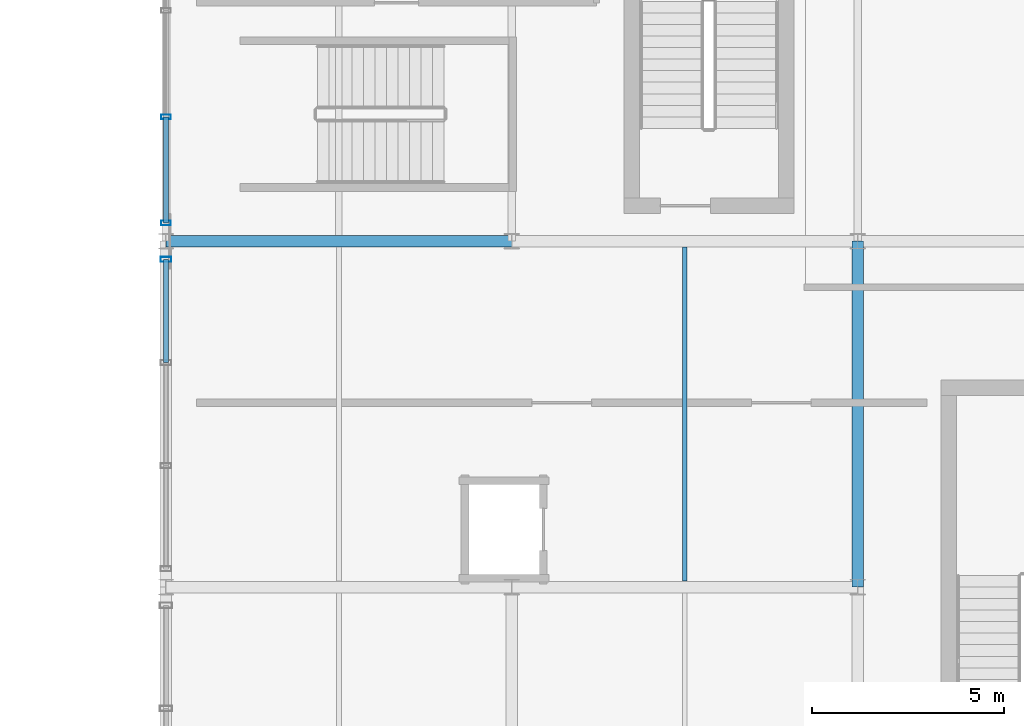
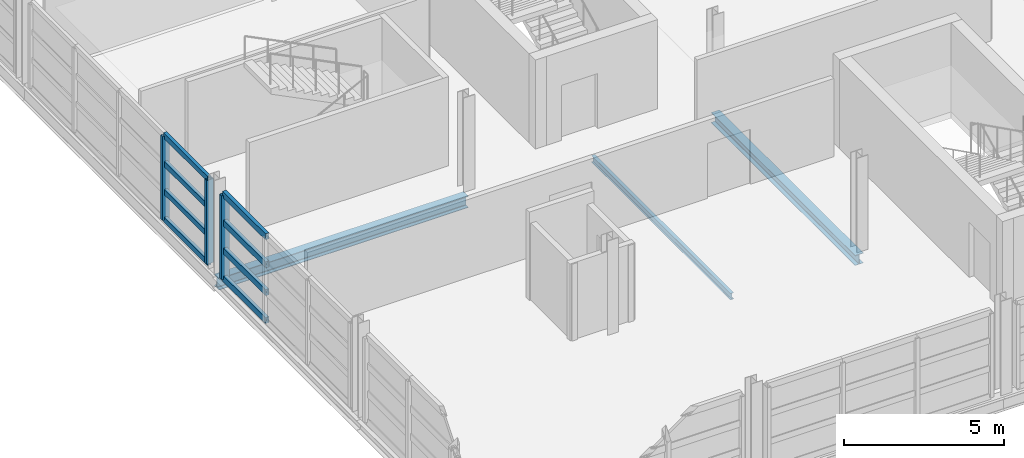
# One storey, part 59 of 116: 11 members, 3 beams, 2 elements without a shape of their own.
"""IFC4 building model written with IfcOpenShell, lengths in metres."""

from ifc_helpers import new_model, si_unit, direction, frame, origin, origin_2d, place, context, subcontext, project, spatial, hollow_rectangle, i_section, extrude, material, material_profile, profile_set, type_object, element, aggregate, save


model = new_model("IFC4")

# Units and contexts
model_context = context("Model", 3, precision=1e-05, world=origin(), true_north=direction((0.0, 1.0)))
body_context = subcontext(model_context, "Body", "Model", "MODEL_VIEW")
ifc_project = project(units=[si_unit("LENGTHUNIT", "METRE"), si_unit("AREAUNIT", "SQUARE_METRE"), si_unit("VOLUMEUNIT", "CUBIC_METRE"), si_unit("PLANEANGLEUNIT", "RADIAN"), si_unit("MASSUNIT", "GRAM", prefix="KILO")], contexts=[model_context])

# Site, building, storey
site_placement = place(None, origin())
site = spatial("IfcSite", under=ifc_project, at=site_placement, CompositionType="ELEMENT")
building_placement = place(site_placement, origin())
building = spatial("IfcBuilding", under=site, at=building_placement, Name="Chuanluo Vaults Station", CompositionType="ELEMENT")
storey_placement = place(building_placement, frame((0.0, 0.0, 10.800048828125)))
storey = spatial("IfcBuildingStorey", under=building, at=storey_placement, Name="L02", CompositionType="ELEMENT", Elevation=10.800048828125)

# Beams
ifc_material_1 = material(Name="Steel Q355C", Category="steel")
ifc_material_profile_1 = material_profile(ifc_material_1, i_section(OverallWidth=0.300048828125, OverallDepth=0.389892578125, WebThickness=0.010009765625, FlangeThickness=0.01611328125, FilletRadius=0.02001953125, at=origin_2d()))
ifc_profile_set_1 = profile_set([ifc_material_profile_1], Name="Steel Q355C")
beam_type_1 = type_object("IfcBeamType", Name="BM-GRD-400", PredefinedType="BEAM", material=ifc_profile_set_1)
beam_1_placement = place(storey_placement, frame((154.0, 9.0, -0.43505859375), z_axis=(0.0, 1.0, 0.0), x_axis=(-1.0, 0.0, 0.0)))
element("IfcBeam", 1, at=beam_1_placement, inside=storey, type_object=beam_type_1, Name="Floor girder BM:GY:L02:0653", PredefinedType="BEAM", context=body_context, shape_type="SweptSolid", body=[
    extrude(i_section(OverallWidth=0.300048828125, OverallDepth=0.389892578125, WebThickness=0.010009765625, FlangeThickness=0.01611328125, FilletRadius=0.02001953125, at=origin_2d()), origin(), (0.0, 0.0, 1.0), 9.0),
])
ifc_material_2 = material(Name="Steel Q355C", Category="steel")
ifc_material_profile_2 = material_profile(ifc_material_2, i_section(OverallWidth=0.300048828125, OverallDepth=0.43994140625, WebThickness=0.010986328125, FlangeThickness=0.01806640625, FilletRadius=0.02001953125, at=origin_2d()))
ifc_profile_set_2 = profile_set([ifc_material_profile_2], Name="Steel Q355C")
beam_type_2 = type_object("IfcBeamType", Name="BM-GRD-450", PredefinedType="USERDEFINED", material=ifc_profile_set_2)
beam_2_placement = place(storey_placement, frame((136.0, 18.0, -0.4599609375), z_axis=(1.0, 0.0, 0.0), x_axis=(0.0, 1.0, 0.0)))
element("IfcBeam", 2, at=beam_2_placement, inside=storey, type_object=beam_type_2, Name="Floor girder BM:GX:L02:0549", ObjectType="GIRDER", PredefinedType="USERDEFINED", context=body_context, shape_type="SweptSolid", body=[
    extrude(i_section(OverallWidth=0.300048828125, OverallDepth=0.43994140625, WebThickness=0.010986328125, FlangeThickness=0.01806640625, FilletRadius=0.02001953125, at=origin_2d()), origin(), (0.0, 0.0, 1.0), 9.0),
])
ifc_material_3 = material(Name="Steel Q355C", Category="steel")
ifc_material_profile_3 = material_profile(ifc_material_3, i_section(OverallWidth=0.125, OverallDepth=0.25, WebThickness=0.006103515625, FlangeThickness=0.009033203125, FilletRadius=0.011962890625, at=origin_2d()))
ifc_profile_set_3 = profile_set([ifc_material_profile_3], Name="Steel Q355C")
beam_type_3 = type_object("IfcBeamType", Name="BM-SEC-250", PredefinedType="JOIST", material=ifc_profile_set_3)
beam_3_placement = place(storey_placement, frame((149.5, 9.155029296875, -0.364990234375), z_axis=(0.0, 1.0, 0.0), x_axis=(-1.0, 0.0, 0.0)))
element("IfcBeam", 3, at=beam_3_placement, inside=storey, type_object=beam_type_3, Name="Composite secondary joist 0200", PredefinedType="JOIST", context=body_context, shape_type="SweptSolid", body=[
    extrude(i_section(OverallWidth=0.125, OverallDepth=0.25, WebThickness=0.006103515625, FlangeThickness=0.009033203125, FilletRadius=0.011962890625, at=origin_2d()), origin(), (0.0, 0.0, 1.0), 8.68994140625),
])

# Curtain wall, members
ifc_material_4 = material(Name="Anodised aluminium 6063-T6", Category="aluminium")
curtain_wall_type_1 = type_object("IfcCurtainWallType", Name="CW-SYS-23", PredefinedType="NOTDEFINED", material=ifc_material_4)
curtain_wall_1_placement = place(storey_placement, origin())
curtain_wall_1 = element("IfcCurtainWall", 4, at=curtain_wall_1_placement, inside=storey, type_object=curtain_wall_type_1, Name="Retail pavilion L02 facade CW", PredefinedType="NOTDEFINED")
ifc_material_5 = material(Name="Anodised aluminium 6063-T6", Category="aluminium")
ifc_material_profile_4 = material_profile(ifc_material_5, hollow_rectangle(XDim=0.1201171875, YDim=0.25, WallThickness=0.006103515625, at=origin_2d()))
ifc_profile_set_4 = profile_set([ifc_material_profile_4], Name="Anodised aluminium 6063-T6")
member_type_1 = type_object("IfcMemberType", Name="CWM-160", PredefinedType="MULLION", material=ifc_profile_set_4)
member_1_placement = place(storey_placement, frame((136.0, 18.47509765625, 0.0), z_axis=(0.0, 0.0, 1.0), x_axis=(0.0, 1.0, 0.0)))
member_1 = element("IfcMember", 5, at=member_1_placement, type_object=member_type_1, Name="Retail pavilion L02 facade CW mullion 1", PredefinedType="MULLION", context=body_context, shape_type="SweptSolid", body=[
    extrude(hollow_rectangle(XDim=0.1201171875, YDim=0.25, WallThickness=0.006103515625, at=origin_2d()), origin(), (0.0, 0.0, 1.0), 3.199951171875),
])
member_2_placement = place(storey_placement, frame((136.0, 21.237548828125, 0.0), z_axis=(0.0, 0.0, 1.0), x_axis=(0.0, 1.0, 0.0)))
member_2 = element("IfcMember", 6, at=member_2_placement, type_object=member_type_1, Name="Retail pavilion L02 facade CW mullion 2", PredefinedType="MULLION", context=body_context, shape_type="SweptSolid", body=[
    extrude(hollow_rectangle(XDim=0.1201171875, YDim=0.25, WallThickness=0.006103515625, at=origin_2d()), origin(), (0.0, 0.0, 1.0), 3.199951171875),
])

# Curtain wall, member
ifc_material_6 = material(Name="Anodised aluminium 6063-T6", Category="aluminium")
curtain_wall_type_2 = type_object("IfcCurtainWallType", Name="CW-SYS-22", PredefinedType="NOTDEFINED", material=ifc_material_6)
curtain_wall_2_placement = place(storey_placement, origin())
curtain_wall_2 = element("IfcCurtainWall", 7, at=curtain_wall_2_placement, inside=storey, type_object=curtain_wall_type_2, Name="Retail pavilion L02 facade CW", PredefinedType="NOTDEFINED")
ifc_material_7 = material(Name="Anodised aluminium 6063-T6", Category="aluminium")
ifc_material_profile_5 = material_profile(ifc_material_7, hollow_rectangle(XDim=0.1298828125, YDim=0.280029296875, WallThickness=0.007080078125, at=origin_2d()))
ifc_profile_set_5 = profile_set([ifc_material_profile_5], Name="Anodised aluminium 6063-T6")
member_type_2 = type_object("IfcMemberType", Name="CWM-180", PredefinedType="MULLION", material=ifc_profile_set_5)
member_3_placement = place(storey_placement, frame((136.0, 17.52490234375, 0.0), z_axis=(0.0, 0.0, 1.0), x_axis=(0.0, 1.0, 0.0)))
member_3 = element("IfcMember", 8, at=member_3_placement, type_object=member_type_2, Name="Retail pavilion L02 facade CW mullion 4", PredefinedType="MULLION", context=body_context, shape_type="SweptSolid", body=[
    extrude(hollow_rectangle(XDim=0.1298828125, YDim=0.280029296875, WallThickness=0.007080078125, at=origin_2d()), origin(), (0.0, 0.0, 1.0), 3.199951171875),
])

# Member
ifc_material_8 = material(Name="Anodised aluminium 6063-T6", Category="aluminium")
ifc_material_profile_6 = material_profile(ifc_material_8, hollow_rectangle(XDim=0.1201171875, YDim=0.205078125, WallThickness=0.006103515625, at=origin_2d()))
ifc_profile_set_6 = profile_set([ifc_material_profile_6], Name="Anodised aluminium 6063-T6")
member_type_3 = type_object("IfcMemberType", Name="CWT-130", PredefinedType="USERDEFINED", material=ifc_profile_set_6)
member_4_placement = place(storey_placement, frame((136.0, 18.47509765625, 0.0), z_axis=(0.0, 1.0, 0.0), x_axis=(-1.0, 0.0, 0.0)))
member_4 = element("IfcMember", 9, at=member_4_placement, type_object=member_type_3, Name="Retail pavilion L02 facade CW transom 1.1", ObjectType="TRANSOM", PredefinedType="USERDEFINED", context=body_context, shape_type="SweptSolid", body=[
    extrude(hollow_rectangle(XDim=0.1201171875, YDim=0.205078125, WallThickness=0.006103515625, at=origin_2d()), origin(), (0.0, 0.0, 1.0), 2.762451171875),
])

member_5_placement = place(storey_placement, frame((136.0, 18.47509765625, 1.066650390625), z_axis=(0.0, 1.0, 0.0), x_axis=(-1.0, 0.0, 0.0)))
member_5 = element("IfcMember", 10, at=member_5_placement, type_object=member_type_3, Name="Retail pavilion L02 facade CW transom 1.2", ObjectType="TRANSOM", PredefinedType="USERDEFINED", context=body_context, shape_type="SweptSolid", body=[
    extrude(hollow_rectangle(XDim=0.1201171875, YDim=0.205078125, WallThickness=0.006103515625, at=origin_2d()), origin(), (0.0, 0.0, 1.0), 2.762451171875),
])

member_6_placement = place(storey_placement, frame((136.0, 18.47509765625, 2.13330078125), z_axis=(0.0, 1.0, 0.0), x_axis=(-1.0, 0.0, 0.0)))
member_6 = element("IfcMember", 11, at=member_6_placement, type_object=member_type_3, Name="Retail pavilion L02 facade CW transom 1.3", ObjectType="TRANSOM", PredefinedType="USERDEFINED", context=body_context, shape_type="SweptSolid", body=[
    extrude(hollow_rectangle(XDim=0.1201171875, YDim=0.205078125, WallThickness=0.006103515625, at=origin_2d()), origin(), (0.0, 0.0, 1.0), 2.762451171875),
])

member_7_placement = place(storey_placement, frame((136.0, 18.47509765625, 3.199951171875), z_axis=(0.0, 1.0, 0.0), x_axis=(-1.0, 0.0, 0.0)))
member_7 = element("IfcMember", 12, at=member_7_placement, type_object=member_type_3, Name="Retail pavilion L02 facade CW transom 1.4", ObjectType="TRANSOM", PredefinedType="USERDEFINED", context=body_context, shape_type="SweptSolid", body=[
    extrude(hollow_rectangle(XDim=0.1201171875, YDim=0.205078125, WallThickness=0.006103515625, at=origin_2d()), origin(), (0.0, 0.0, 1.0), 2.762451171875),
])

aggregate(curtain_wall_1, [member_1, member_2, member_4, member_5, member_6, member_7])

ifc_material_9 = material(Name="Anodised aluminium 6063-T6", Category="aluminium")
ifc_material_profile_7 = material_profile(ifc_material_9, hollow_rectangle(XDim=0.1298828125, YDim=0.22998046875, WallThickness=0.006103515625, at=origin_2d()))
ifc_profile_set_7 = profile_set([ifc_material_profile_7], Name="Anodised aluminium 6063-T6")
member_type_4 = type_object("IfcMemberType", Name="CWT-150", PredefinedType="USERDEFINED", material=ifc_profile_set_7)
member_8_placement = place(storey_placement, frame((136.0, 14.841796875, 0.0), z_axis=(0.0, 1.0, 0.0), x_axis=(-1.0, 0.0, 0.0)))
member_8 = element("IfcMember", 13, at=member_8_placement, type_object=member_type_4, Name="Retail pavilion L02 facade CW transom 3.1", ObjectType="TRANSOM", PredefinedType="USERDEFINED", context=body_context, shape_type="SweptSolid", body=[
    extrude(hollow_rectangle(XDim=0.1298828125, YDim=0.22998046875, WallThickness=0.006103515625, at=origin_2d()), origin(), (0.0, 0.0, 1.0), 2.68310546875),
])

member_9_placement = place(storey_placement, frame((136.0, 14.841796875, 1.066650390625), z_axis=(0.0, 1.0, 0.0), x_axis=(-1.0, 0.0, 0.0)))
member_9 = element("IfcMember", 14, at=member_9_placement, type_object=member_type_4, Name="Retail pavilion L02 facade CW transom 3.2", ObjectType="TRANSOM", PredefinedType="USERDEFINED", context=body_context, shape_type="SweptSolid", body=[
    extrude(hollow_rectangle(XDim=0.1298828125, YDim=0.22998046875, WallThickness=0.006103515625, at=origin_2d()), origin(), (0.0, 0.0, 1.0), 2.68310546875),
])

member_10_placement = place(storey_placement, frame((136.0, 14.841796875, 2.13330078125), z_axis=(0.0, 1.0, 0.0), x_axis=(-1.0, 0.0, 0.0)))
member_10 = element("IfcMember", 15, at=member_10_placement, type_object=member_type_4, Name="Retail pavilion L02 facade CW transom 3.3", ObjectType="TRANSOM", PredefinedType="USERDEFINED", context=body_context, shape_type="SweptSolid", body=[
    extrude(hollow_rectangle(XDim=0.1298828125, YDim=0.22998046875, WallThickness=0.006103515625, at=origin_2d()), origin(), (0.0, 0.0, 1.0), 2.68310546875),
])

member_11_placement = place(storey_placement, frame((136.0, 14.841796875, 3.199951171875), z_axis=(0.0, 1.0, 0.0), x_axis=(-1.0, 0.0, 0.0)))
member_11 = element("IfcMember", 16, at=member_11_placement, type_object=member_type_4, Name="Retail pavilion L02 facade CW transom 3.4", ObjectType="TRANSOM", PredefinedType="USERDEFINED", context=body_context, shape_type="SweptSolid", body=[
    extrude(hollow_rectangle(XDim=0.1298828125, YDim=0.22998046875, WallThickness=0.006103515625, at=origin_2d()), origin(), (0.0, 0.0, 1.0), 2.68310546875),
])

aggregate(curtain_wall_2, [member_3, member_8, member_9, member_10, member_11])

save(model, "model.ifc")
